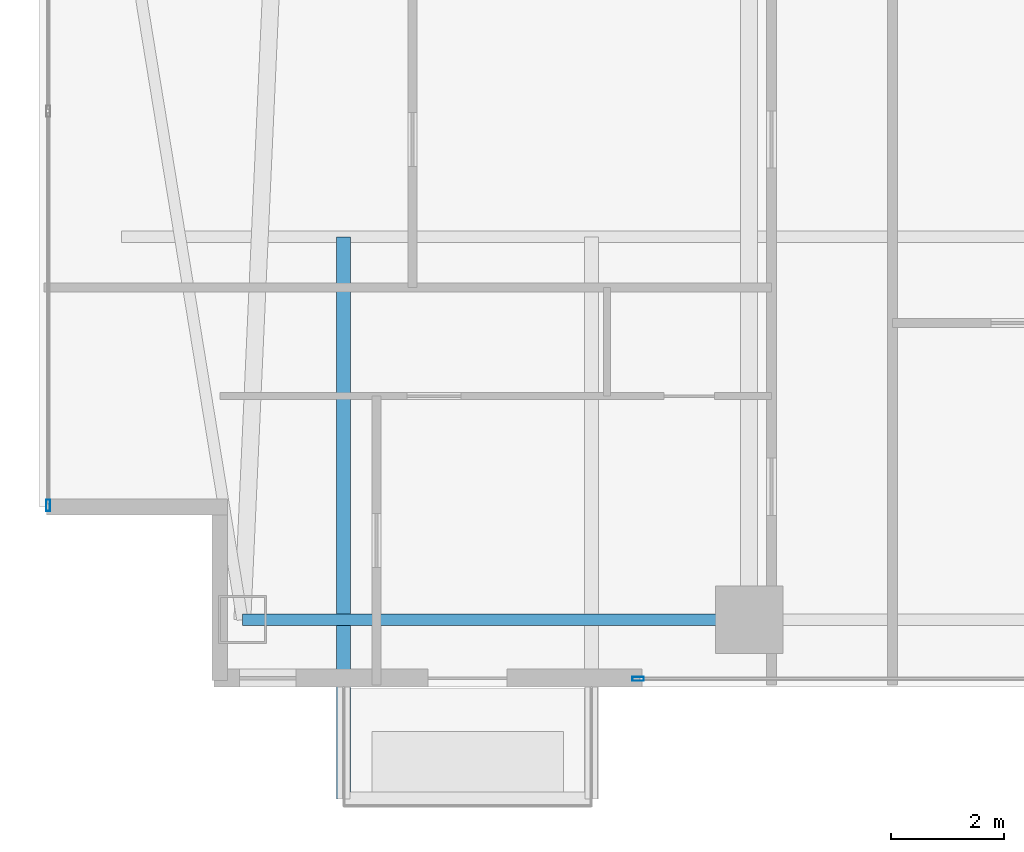
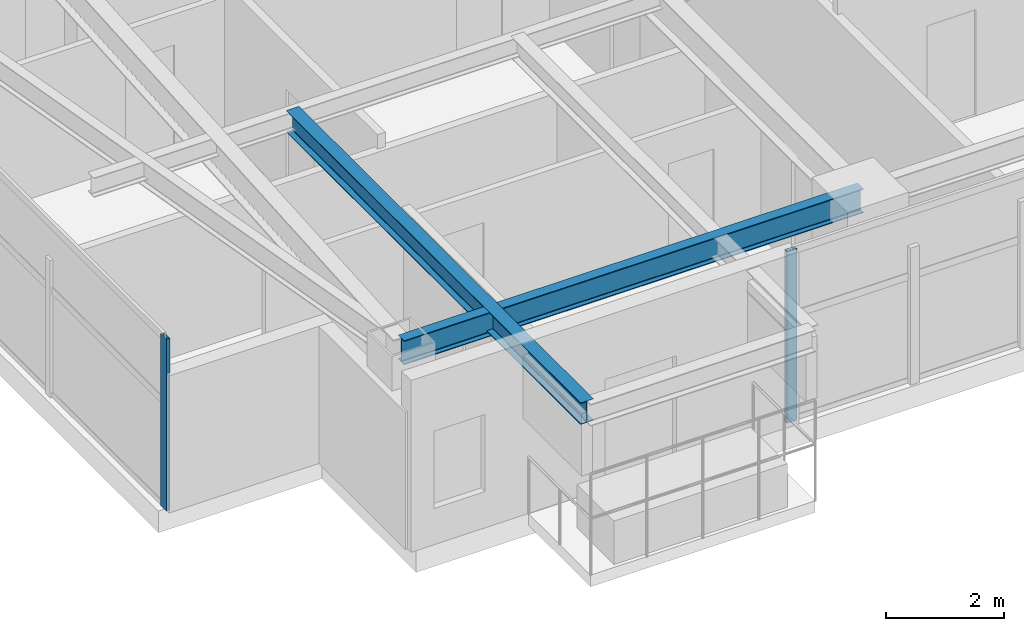
# One storey, part 2 of 28: 2 beams, 2 members, 2 elements without a shape of their own.
"""IFC4 building model written with IfcOpenShell, lengths in metres."""

import ifcopenshell
import ifcopenshell.guid

model = None  # the IFC model being written
_history = None  # IfcOwnerHistory: only IFC2X3 demands one
_inside = {}  # id of a spatial element -> (the spatial element, [elements in it])
_under = {}  # id of a project, library or spatial element -> (it, [spatial elements below it])
_declared = {}  # id of a project -> (the project, [libraries it declares])
_typed = {}  # id of a type object -> (the type object, [elements of that type])
_made_of = {}  # id of a material, layer set ... -> (it, [elements and type objects made of it])


def new_model(schema):
    """Start an empty IFC model of exactly this schema.

    Asked for "IFC4X3", IfcOpenShell would pick the latest addendum, in which some entities
    have other attributes; the version numbers below select the first issue.
    IFC2X3 requires an IfcOwnerHistory on every rooted entity: one is made here for all.
    """
    global model, _history
    if schema == "IFC4X3":
        model = ifcopenshell.file(schema_version=(4, 3, 0, 0))
    else:
        model = ifcopenshell.file(schema=schema)
    _inside.clear()
    _under.clear()
    _declared.clear()
    _typed.clear()
    _made_of.clear()
    _history = None
    if model.schema == "IFC2X3":
        org = make("IfcOrganization", Name="unknown")
        user = make(
            "IfcPersonAndOrganization",
            ThePerson=make("IfcPerson", FamilyName="unknown"),
            TheOrganization=org,
        )
        app = make(
            "IfcApplication",
            ApplicationDeveloper=org,
            Version="unknown",
            ApplicationFullName="unknown",
            ApplicationIdentifier="unknown",
        )
        _history = make(
            "IfcOwnerHistory",
            OwningUser=user,
            OwningApplication=app,
            ChangeAction="ADDED",
            CreationDate=0,
        )
    return model


def make(cls, **values):
    """One entity of the class cls with the attributes given. An attribute that is None is left unset."""
    return model.create_entity(
        cls, **{name: value for name, value in values.items() if value is not None}
    )


def rooted(cls, **values):
    """An entity with a GlobalId (a new one), such as an element, a storey or a relation."""
    return make(cls, GlobalId=ifcopenshell.guid.new(), OwnerHistory=_history, **values)


def si_unit(unit_type, name, prefix=None):
    """IfcSIUnit, for example si_unit("LENGTHUNIT", "METRE", prefix="MILLI")."""
    return make("IfcSIUnit", UnitType=unit_type, Prefix=prefix, Name=name)


def assignment(units):
    """IfcUnitAssignment: the units of a project."""
    return None if units is None else make("IfcUnitAssignment", Units=units)


def point(xyz):
    """IfcCartesianPoint."""
    return None if xyz is None else make("IfcCartesianPoint", Coordinates=xyz)


def direction(xyz):
    """IfcDirection."""
    return None if xyz is None else make("IfcDirection", DirectionRatios=xyz)


def frame(location, z_axis=None, x_axis=None):
    """IfcAxis2Placement3D, a coordinate frame: its origin and axes. An axis left out is left unset."""
    return make(
        "IfcAxis2Placement3D",
        Location=point(location),
        Axis=direction(z_axis),
        RefDirection=direction(x_axis),
    )


def frame_2d(location, x_axis=None):
    """IfcAxis2Placement2D, a coordinate frame in the plane: its origin and x axis."""
    return make(
        "IfcAxis2Placement2D", Location=point(location), RefDirection=direction(x_axis)
    )


def origin():
    """The frame at (0, 0, 0) with its axes left unset."""
    return frame((0.0, 0.0, 0.0))


def origin_2d():
    """The frame at (0, 0) in the plane with its x axis left unset."""
    return frame_2d((0.0, 0.0))


def place(relative_to, where):
    """IfcLocalPlacement: puts the frame where relative to a parent placement (None: the world)."""
    return make(
        "IfcLocalPlacement", PlacementRelTo=relative_to, RelativePlacement=where
    )


def context(
    kind, dimensions, precision=None, world=None, true_north=None, identifier=None
):
    """IfcGeometricRepresentationContext, for example the 3D "Model" context."""
    return make(
        "IfcGeometricRepresentationContext",
        ContextIdentifier=identifier,
        ContextType=kind,
        CoordinateSpaceDimension=dimensions,
        Precision=precision,
        WorldCoordinateSystem=world,
        TrueNorth=true_north,
    )


def subcontext(parent, identifier, kind, view, scale=None):
    """IfcGeometricRepresentationSubContext, for example "Body" below "Model"."""
    return make(
        "IfcGeometricRepresentationSubContext",
        ContextIdentifier=identifier,
        ContextType=kind,
        ParentContext=parent,
        TargetScale=scale,
        TargetView=view,
    )


def project(units=None, contexts=None):
    """IfcProject with its units and contexts."""
    return rooted(
        "IfcProject",
        Name="project",
        RepresentationContexts=contexts,
        UnitsInContext=assignment(units),
    )


def spatial(cls, under=None, at=None, **own):
    """A site, building, storey or space (cls), placed at a placement, below another one or the project."""
    s = rooted(cls, ObjectPlacement=at, **own)
    if under is not None:
        _under.setdefault(under.id(), (under, []))[1].append(s)
    return s


def profile(cls, at=None, kind="AREA", **sizes):
    """A parametric profile (cls). Its sizes go by their IFC names, for example OverallWidth=200.0."""
    return make(cls, ProfileType=kind, Position=at, **sizes)


def hollow_rectangle(**sizes):
    """IfcRectangleHollowProfileDef."""
    return profile("IfcRectangleHollowProfileDef", **sizes)


def i_section(**sizes):
    """IfcIShapeProfileDef."""
    return profile("IfcIShapeProfileDef", **sizes)


def extrude(swept, where, along, depth):
    """IfcExtrudedAreaSolid: the profile swept, set in the frame where, extruded along a direction by depth."""
    return make(
        "IfcExtrudedAreaSolid",
        SweptArea=swept,
        Position=where,
        ExtrudedDirection=direction(along),
        Depth=depth,
    )


def shape(context_of_items, identifier, shape_type, items):
    """IfcShapeRepresentation: the items that make up one representation, for example the "Body"."""
    return make(
        "IfcShapeRepresentation",
        ContextOfItems=context_of_items,
        RepresentationIdentifier=identifier,
        RepresentationType=shape_type,
        Items=items,
    )


def material(Name=None, Category=None):
    """IfcMaterial."""
    return make("IfcMaterial", Name=Name, Category=Category)


def layer(
    of_material, thickness, ventilated=None, Name=None, Category=None, Priority=None
):
    """IfcMaterialLayer: one layer of a wall or slab, of a material (None: an air gap)."""
    return make(
        "IfcMaterialLayer",
        Material=of_material,
        LayerThickness=thickness,
        IsVentilated=ventilated,
        Name=Name,
        Category=Category,
        Priority=Priority,
    )


def layer_set(layers, Name=None):
    """IfcMaterialLayerSet."""
    return make("IfcMaterialLayerSet", MaterialLayers=layers, LayerSetName=Name)


def material_profile(
    of_material, cross_section, Name=None, Category=None, Priority=None
):
    """IfcMaterialProfile: a cross section and its material."""
    return make(
        "IfcMaterialProfile",
        Name=Name,
        Material=of_material,
        Profile=cross_section,
        Priority=Priority,
        Category=Category,
    )


def profile_set(profiles, Name=None, composite=None):
    """IfcMaterialProfileSet."""
    return make(
        "IfcMaterialProfileSet",
        Name=Name,
        MaterialProfiles=profiles,
        CompositeProfile=composite,
    )


def made_of(thing, what):
    """Note that an element or type object is made of a material, layer set ...; save() writes the relation."""
    if what is not None:
        _made_of.setdefault(what.id(), (what, []))[1].append(thing)
    return thing


def type_object(cls, material=None, **own):
    """A type object (cls), such as IfcWallType, which elements share."""
    return made_of(rooted(cls, **own), material)


def element(
    cls,
    number,
    at=None,
    inside=None,
    cuts=None,
    type_object=None,
    material=None,
    context=None,
    identifier="Body",
    shape_type=None,
    held_by="IfcProductDefinitionShape",
    body=None,
    shapes=None,
    **own,
):
    """One element of the class cls, such as IfcWall. Its Tag is "e" and its number.

    at: its placement. inside: the storey or other place that contains it. cuts: it is an
    opening in that element (IfcRelVoidsElement). A single representation is given by context,
    identifier, shape_type and body (its items); several are given by shapes. held_by: the class
    of the entity that holds the representations. save() writes the other relations.
    """
    e = rooted(cls, Tag="e%d" % number, ObjectPlacement=at, **own)
    if body is not None:
        shapes = [shape(context, identifier, shape_type, body)]
    if shapes is not None:
        e.Representation = make(held_by, Representations=shapes)
    if inside is not None:
        _inside.setdefault(inside.id(), (inside, []))[1].append(e)
    if cuts is not None:
        rooted(
            "IfcRelVoidsElement", RelatingBuildingElement=cuts, RelatedOpeningElement=e
        )
    if type_object is not None:
        _typed.setdefault(type_object.id(), (type_object, []))[1].append(e)
    return made_of(e, material)


def aggregate(whole, parts):
    """IfcRelAggregates: a whole, such as a stair, and the parts it consists of."""
    return rooted("IfcRelAggregates", RelatingObject=whole, RelatedObjects=parts)


def save(model, path):
    """Write the relations noted so far, then the file.

    IfcRelAggregates (storeys below a building ...), IfcRelContainedInSpatialStructure (elements
    in a storey), IfcRelDefinesByType, IfcRelAssociatesMaterial and IfcRelDeclares: one each for
    every whole, place, type object, material and project.
    """
    for whole, parts in _under.values():
        aggregate(whole, parts)
    for where, things in _inside.values():
        rooted(
            "IfcRelContainedInSpatialStructure",
            RelatedElements=things,
            RelatingStructure=where,
        )
    for kind, things in _typed.values():
        rooted("IfcRelDefinesByType", RelatedObjects=things, RelatingType=kind)
    for what, things in _made_of.values():
        rooted("IfcRelAssociatesMaterial", RelatedObjects=things, RelatingMaterial=what)
    for by, libraries in _declared.values():
        rooted("IfcRelDeclares", RelatingContext=by, RelatedDefinitions=libraries)
    model.write(path)


model = new_model("IFC4")

# Units and contexts
model_context = context("Model", 3, precision=1e-05, world=origin(), true_north=direction((0.0, 1.0)))
body_context = subcontext(model_context, "Body", "Model", "MODEL_VIEW")
ifc_project = project(units=[si_unit("LENGTHUNIT", "METRE"), si_unit("AREAUNIT", "SQUARE_METRE"), si_unit("VOLUMEUNIT", "CUBIC_METRE"), si_unit("PLANEANGLEUNIT", "RADIAN"), si_unit("MASSUNIT", "GRAM", prefix="KILO")], contexts=[model_context])

# Site, building, storey
site_placement = place(None, origin())
site = spatial("IfcSite", under=ifc_project, at=site_placement, CompositionType="ELEMENT")
building_placement = place(site_placement, origin())
building = spatial("IfcBuilding", under=site, at=building_placement, Name="Calvorn Quay Hotel", CompositionType="ELEMENT")
storey_placement = place(building_placement, frame((0.0, 0.0, 97.39990234375)))
storey = spatial("IfcBuildingStorey", under=building, at=storey_placement, Name="L23", CompositionType="ELEMENT", Elevation=97.39990234375)

# Beams
ifc_material_1 = material(Name="Steel Q355B", Category="steel")
ifc_material_profile_1 = material_profile(ifc_material_1, i_section(OverallWidth=0.25, OverallDepth=0.449951171875, WebThickness=0.011962890625, FlangeThickness=0.01611328125, FilletRadius=0.01611328125, at=origin_2d()), Name="HN450x250x12x16")
ifc_profile_set_1 = profile_set([ifc_material_profile_1], Name="Steel Q355B")
beam_type_1 = type_object("IfcBeamType", Name="BM-CANT-BALC", PredefinedType="BEAM", material=ifc_profile_set_1)
beam_1_placement = place(storey_placement, frame((5.39990234375, 10.39990234375, 3.315185546875), z_axis=(0.0, -1.0, 0.0), x_axis=(1.0, 0.0, 0.0)))
element("IfcBeam", 1, at=beam_1_placement, inside=storey, type_object=beam_type_1, Name="Cantilever Balcony Beam BCB-L24-2A", PredefinedType="BEAM", context=body_context, shape_type="SweptSolid", body=[
    extrude(i_section(OverallWidth=0.25, OverallDepth=0.449951171875, WebThickness=0.011962890625, FlangeThickness=0.01611328125, FilletRadius=0.01611328125, at=origin_2d()), origin(), (0.0, 0.0, 1.0), 9.989990234375),
])
ifc_material_2 = material(Name="Steel Q355B", Category="steel")
ifc_material_profile_2 = material_profile(ifc_material_2, i_section(OverallWidth=0.199951171875, OverallDepth=0.5, WebThickness=0.010009765625, FlangeThickness=0.01611328125, FilletRadius=0.01611328125, at=origin_2d()), Name="HN500x200x10x16")
ifc_profile_set_2 = profile_set([ifc_material_profile_2], Name="Steel Q355B")
beam_type_2 = type_object("IfcBeamType", Name="BM-SPANDREL-Z1", PredefinedType="SPANDREL", material=ifc_profile_set_2)
beam_2_placement = place(storey_placement, frame((3.60009765625, 3.60009765625, 3.2900390625), z_axis=(1.0, 0.0, 0.0), x_axis=(0.0, 1.0, 0.0)))
element("IfcBeam", 2, at=beam_2_placement, inside=storey, type_object=beam_type_2, Name="Beam BSP-L23-S1", PredefinedType="SPANDREL", context=body_context, shape_type="SweptSolid", body=[
    extrude(i_section(OverallWidth=0.199951171875, OverallDepth=0.5, WebThickness=0.010009765625, FlangeThickness=0.01611328125, FilletRadius=0.01611328125, at=origin_2d()), origin(), (0.0, 0.0, 1.0), 9.0),
])

# Curtain wall, member
ifc_material_3 = material(Name="Pale Anodised Aluminium and Low-E Glass", Category="aluminium")
ifc_layer = layer(ifc_material_3, 0.219970703125)
ifc_layer_set = layer_set([ifc_layer], Name="CW-SYS-Z2")
curtain_wall_type = type_object("IfcCurtainWallType", Name="CW-SYS-Z2", PredefinedType="NOTDEFINED", material=ifc_layer_set)
curtain_wall_1_placement = place(storey_placement, origin())
curtain_wall_1 = element("IfcCurtainWall", 3, at=curtain_wall_1_placement, inside=storey, type_object=curtain_wall_type, Name="Tower West Curtain Wall (L23)", PredefinedType="NOTDEFINED")
ifc_material_4 = material(Name="Pale Anodised Aluminium 6063-T6", Category="aluminium")
ifc_material_profile_3 = material_profile(ifc_material_4, hollow_rectangle(XDim=0.070068359375, YDim=0.199951171875, WallThickness=0.00390625, at=origin_2d()), Name="ALU-M200x70x4")
ifc_profile_set_3 = profile_set([ifc_material_profile_3], Name="Pale Anodised Aluminium 6063-T6")
member_type = type_object("IfcMemberType", Name="CW-SYS-Z2-MUL", PredefinedType="MULLION", material=ifc_profile_set_3)
member_1_placement = place(storey_placement, frame((0.14990234375, 5.6298828125, 0.0), z_axis=(0.0, 0.0, 1.0), x_axis=(-1.0, 0.0, 0.0)))
member_1 = element("IfcMember", 4, at=member_1_placement, type_object=member_type, Name="CW-L23-W mullion 1", PredefinedType="MULLION", context=body_context, shape_type="SweptSolid", body=[
    extrude(hollow_rectangle(XDim=0.070068359375, YDim=0.199951171875, WallThickness=0.00390625, at=origin_2d()), origin(), (0.0, 0.0, 1.0), 3.56005859375),
])
aggregate(curtain_wall_1, [member_1])

curtain_wall_2_placement = place(storey_placement, origin())
curtain_wall_2 = element("IfcCurtainWall", 5, at=curtain_wall_2_placement, inside=storey, type_object=curtain_wall_type, Name="Tower South Waterfront Curtain Wall (L23)", PredefinedType="NOTDEFINED")
member_2_placement = place(storey_placement, frame((10.6298828125, 2.550048828125, 0.0), z_axis=(0.0, 0.0, 1.0), x_axis=(0.0, 1.0, 0.0)))
member_2 = element("IfcMember", 6, at=member_2_placement, type_object=member_type, Name="CW-L23-S mullion 1", PredefinedType="MULLION", context=body_context, shape_type="SweptSolid", body=[
    extrude(hollow_rectangle(XDim=0.070068359375, YDim=0.199951171875, WallThickness=0.00390625, at=origin_2d()), origin(), (0.0, 0.0, 1.0), 3.56005859375),
])
aggregate(curtain_wall_2, [member_2])

save(model, "model.ifc")
